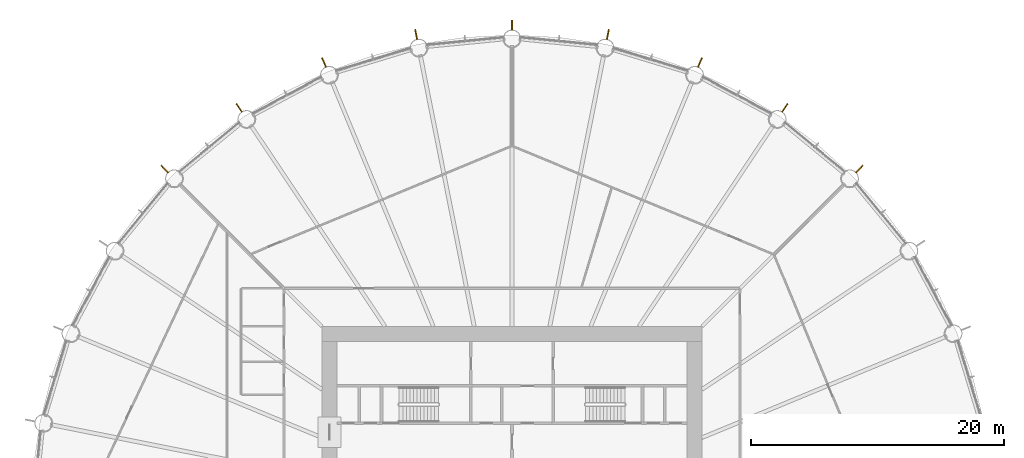
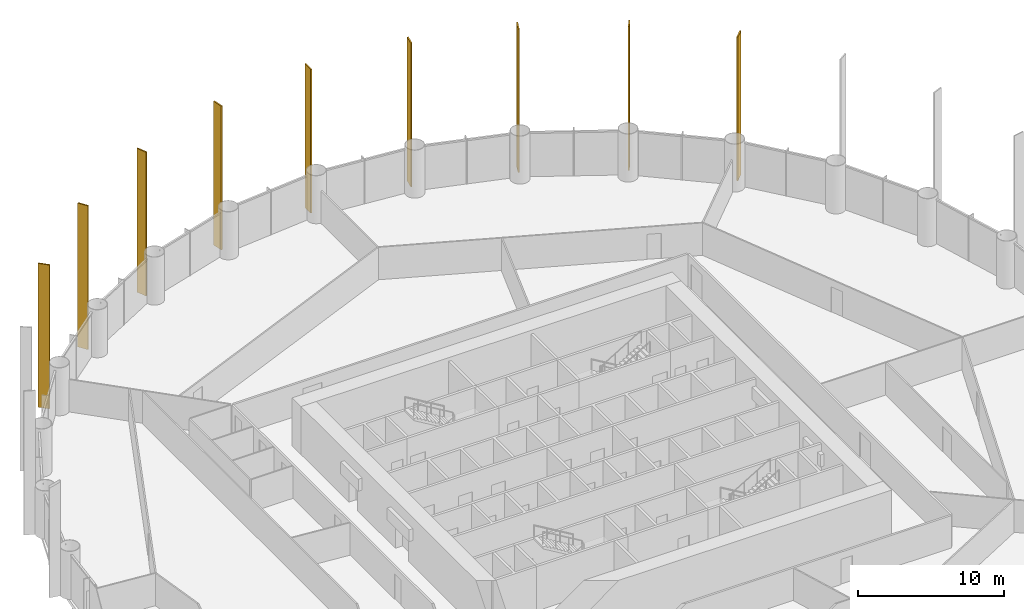
# One storey, part 15 of 15: 9 shading devices.
"""IFC4 building model written with IfcOpenShell, lengths in metres."""

from ifc_helpers import new_model, si_unit, direction, frame, origin, origin_2d, place, context, subcontext, project, spatial, rectangle, extrude, material, material_profile, profile_set, type_object, element, save


model = new_model("IFC4")

# Units and contexts
model_context = context("Model", 3, precision=1e-05, world=origin(), true_north=direction((0.0, 1.0)))
body_context = subcontext(model_context, "Body", "Model", "MODEL_VIEW")
ifc_project = project(units=[si_unit("LENGTHUNIT", "METRE"), si_unit("AREAUNIT", "SQUARE_METRE"), si_unit("VOLUMEUNIT", "CUBIC_METRE"), si_unit("PLANEANGLEUNIT", "RADIAN"), si_unit("MASSUNIT", "GRAM", prefix="KILO")], contexts=[model_context])

# Site, building, storey
site_placement = place(None, origin())
site = spatial("IfcSite", under=ifc_project, at=site_placement, CompositionType="ELEMENT")
building_placement = place(site_placement, origin())
building = spatial("IfcBuilding", under=site, at=building_placement, Name="Corvane Civic Tower", CompositionType="ELEMENT")
storey_placement = place(building_placement, frame((0.0, 0.0, 65.0)))
storey = spatial("IfcBuildingStorey", under=building, at=storey_placement, Name="L14", CompositionType="ELEMENT", Elevation=65.0)

# Shading devices
ifc_material = material(Name="Anodised aluminium bronze", Category="aluminium")
ifc_material_profile = material_profile(ifc_material, rectangle(XDim=0.10009765625, YDim=0.800048828125, at=origin_2d()), Name="TOWER FIN STACK 100x800 BRONZE")
ifc_profile_set = profile_set([ifc_material_profile], Name="Anodised aluminium bronze")
shading_device_type = type_object("IfcShadingDeviceType", Name="TOWER FIN STACK 100x800 BRONZE", PredefinedType="USERDEFINED", material=ifc_profile_set)
for number, where, z_axis, x_axis, name in (
    (1, (0.0, 38.780029296875, 0.0), (0.0, 0.0, 1.0), (1.0, 0.0, 0.0), "Fin 01 L14 to L16"),
    (2, (7.565673828125, 38.034912109375, 0.0), (0.0, 0.0, 1.0), (0.980785280403, -0.195090322016, 0.0), "Fin 02 L14 to L16"),
    (3, (14.840576171875, 35.828125, 0.0), (0.0, 0.0, 1.0), (0.923879532511, -0.382683432365, 0.0), "Fin 03 L14 to L16"),
    (4, (21.544921875, 32.244384765625, 0.0), (0.0, 0.0, 1.0), (0.831469612303, -0.55557023302, 0.0), "Fin 04 L14 to L16"),
    (5, (27.421630859375, 27.421630859375, 0.0), (0.0, 0.0, 1.0), (0.707106781187, -0.707106781187, 0.0), "Fin 05 L14 to L16"),
    (6, (-27.421630859375, 27.421630859375, 0.0), (0.0, 0.0, 1.0), (0.707106781187, 0.707106781187, 0.0), "Fin 29 L14 to L16"),
    (7, (-21.544921875, 32.244384765625, 0.0), (0.0, 0.0, 1.0), (0.831469612303, 0.55557023302, 0.0), "Fin 30 L14 to L16"),
    (8, (-14.840576171875, 35.828125, 0.0), (0.0, 0.0, 1.0), (0.923879532511, 0.382683432365, 0.0), "Fin 31 L14 to L16"),
    (9, (-7.565673828125, 38.034912109375, 0.0), (0.0, 0.0, 1.0), (0.980785280403, 0.195090322016, 0.0), "Fin 32 L14 to L16"),
):
    element("IfcShadingDevice", number, at=place(storey_placement, frame(where, z_axis=z_axis, x_axis=x_axis)), inside=storey, type_object=shading_device_type, Name=name, ObjectType="FIN", PredefinedType="USERDEFINED", context=body_context, shape_type="SweptSolid", body=[
        extrude(rectangle(XDim=0.10009765625, YDim=0.800048828125, at=origin_2d()), origin(), (0.0, 0.0, 1.0), 12.0),
    ])

save(model, "model.ifc")
